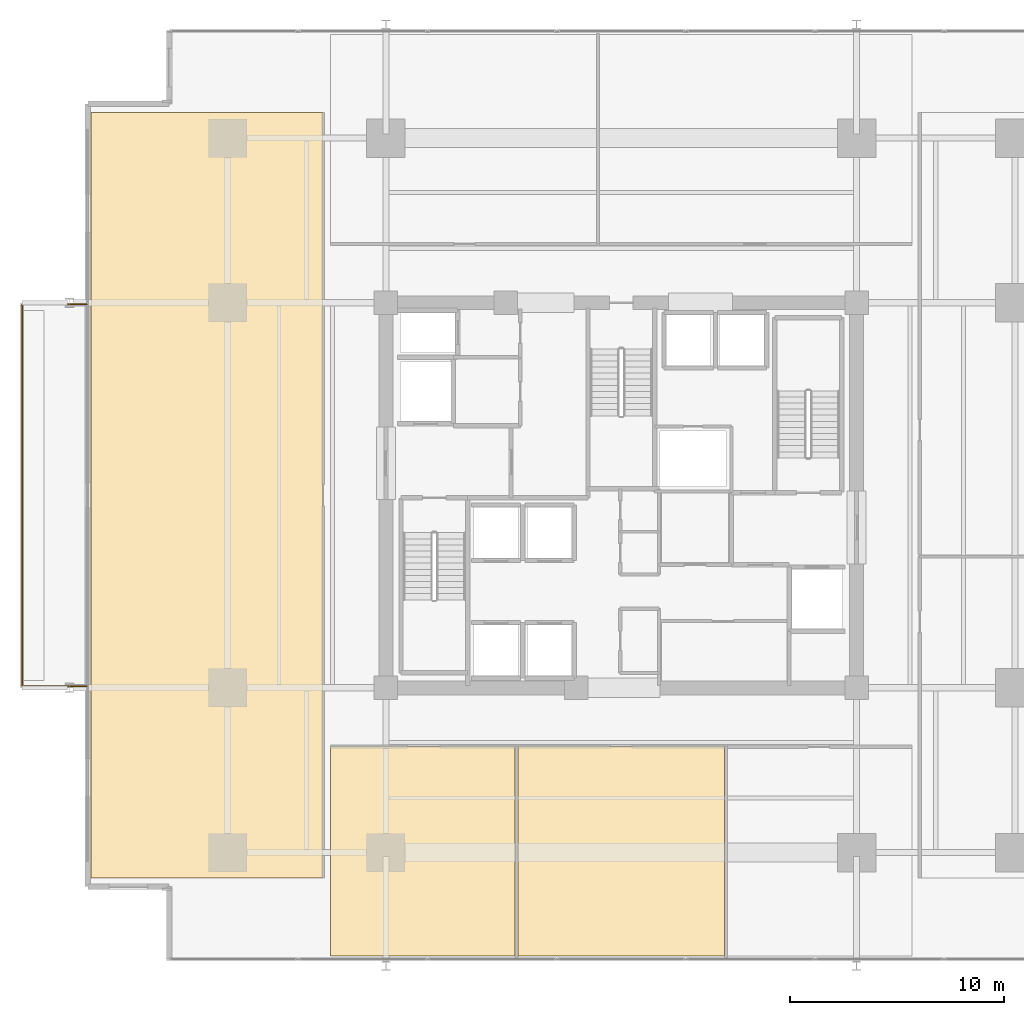
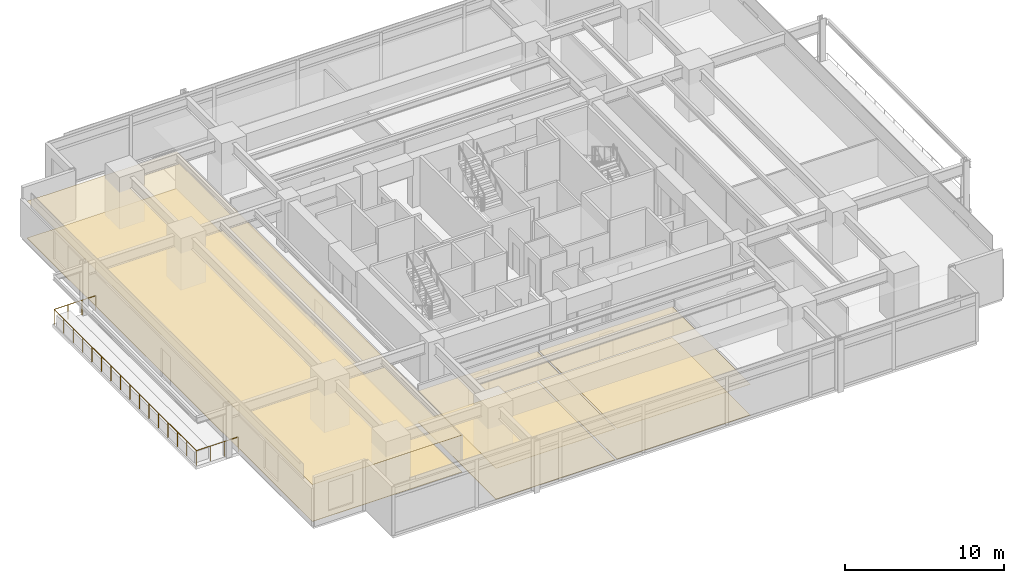
# One storey, part 18 of 21: 6 coverings, 1 railing.
"""IFC4 building model written with IfcOpenShell, lengths in metres."""

from ifc_helpers import new_model, si_unit, direction, frame, origin, origin_2d, place, context, subcontext, project, spatial, polyline, circle, outline, extrude, material, layer, layer_set, type_object, element, save


model = new_model("IFC4")

# Units and contexts
model_context = context("Model", 3, precision=1e-05, world=origin(), true_north=direction((0.0, 1.0)))
body_context = subcontext(model_context, "Body", "Model", "MODEL_VIEW")
ifc_project = project(units=[si_unit("LENGTHUNIT", "METRE"), si_unit("AREAUNIT", "SQUARE_METRE"), si_unit("VOLUMEUNIT", "CUBIC_METRE"), si_unit("PLANEANGLEUNIT", "RADIAN"), si_unit("MASSUNIT", "GRAM", prefix="KILO")], contexts=[model_context])

# Site, building, storey
site_placement = place(None, origin())
site = spatial("IfcSite", under=ifc_project, at=site_placement, CompositionType="ELEMENT")
building_placement = place(site_placement, origin())
building = spatial("IfcBuilding", under=site, at=building_placement, Name="Kovane Verandah Tower", CompositionType="ELEMENT")
storey_placement = place(building_placement, frame((0.0, 0.0, 31.60009765625)))
storey = spatial("IfcBuildingStorey", under=building, at=storey_placement, Name="L06", CompositionType="ELEMENT", Elevation=31.60009765625)

# Coverings
ifc_material_1 = material(Name="Perforated Acoustic Mineral-Fibre Ceiling Tile", Category="gypsum")
ifc_layer_1 = layer(ifc_material_1, 0.02490234375)
ifc_layer_set_1 = layer_set([ifc_layer_1], Name="Perforated Acoustic Mineral-Fibre Ceiling Tile")
covering_type_1 = type_object("IfcCoveringType", Name="CV-CEIL-25", PredefinedType="CEILING", material=ifc_layer_set_1)
covering_1_placement = place(storey_placement, frame((0.0, 0.0, 2.364990234375)))
element("IfcCovering", 1, at=covering_1_placement, inside=storey, type_object=covering_type_1, Name="L06 Client Boardroom S1 Acoustic Ceiling", PredefinedType="CEILING", context=body_context, shape_type="SweptSolid", body=[
    extrude(outline(polyline([(26.39990234375, 5.955078125), (35.033935546875, 5.955078125), (35.033935546875, 15.75), (26.39990234375, 15.75), (26.39990234375, 5.955078125)])), origin(), (0.0, 0.0, 1.0), 0.02490234375),
])
covering_2_placement = place(storey_placement, frame((0.0, 0.0, 2.364990234375)))
element("IfcCovering", 2, at=covering_2_placement, inside=storey, type_object=covering_type_1, Name="L06 Meeting Room S2 Acoustic Ceiling", PredefinedType="CEILING", context=body_context, shape_type="SweptSolid", body=[
    extrude(outline(polyline([(35.174072265625, 5.955078125), (44.825927734375, 5.955078125), (44.825927734375, 15.75), (35.174072265625, 15.75), (35.174072265625, 5.955078125)])), origin(), (0.0, 0.0, 1.0), 0.02490234375),
])
covering_3_placement = place(storey_placement, frame((0.0, 0.0, 2.824951171875)))
element("IfcCovering", 3, at=covering_3_placement, inside=storey, type_object=covering_type_1, Name="L06 Breakout Pantry W1 Acoustic Ceiling", PredefinedType="CEILING", context=body_context, shape_type="SweptSolid", body=[
    extrude(outline(polyline([(15.21435546875, 9.60498046875), (26.050048828125, 9.60498046875), (26.050048828125, 45.39501953125), (15.21435546875, 45.39501953125), (15.21435546875, 9.60498046875)])), origin(), (0.0, 0.0, 1.0), 0.02490234375),
])
ifc_material_2 = material(Name="Polished Terrazzo and Raised-Access Carpet Tile Finish", Category="concrete")
ifc_layer_2 = layer(ifc_material_2, 0.030029296875)
ifc_layer_set_2 = layer_set([ifc_layer_2], Name="Polished Terrazzo and Raised-Access Carpet Tile Finish")
covering_type_2 = type_object("IfcCoveringType", Name="CV-FLOR-30", PredefinedType="FLOORING", material=ifc_layer_set_2)
covering_4_placement = place(storey_placement, origin())
element("IfcCovering", 4, at=covering_4_placement, inside=storey, type_object=covering_type_2, Name="L06 Client Boardroom S1 Floor Finish", PredefinedType="FLOORING", context=body_context, shape_type="SweptSolid", body=[
    extrude(outline(polyline([(26.39990234375, 5.955078125), (35.033935546875, 5.955078125), (35.033935546875, 15.75), (26.39990234375, 15.75), (26.39990234375, 5.955078125)])), origin(), (0.0, 0.0, 1.0), 0.02978515625),
])
covering_5_placement = place(storey_placement, origin())
element("IfcCovering", 5, at=covering_5_placement, inside=storey, type_object=covering_type_2, Name="L06 Meeting Room S2 Floor Finish", PredefinedType="FLOORING", context=body_context, shape_type="SweptSolid", body=[
    extrude(outline(polyline([(35.174072265625, 5.955078125), (44.825927734375, 5.955078125), (44.825927734375, 15.75), (35.174072265625, 15.75), (35.174072265625, 5.955078125)])), origin(), (0.0, 0.0, 1.0), 0.02978515625),
])
covering_6_placement = place(storey_placement, origin())
element("IfcCovering", 6, at=covering_6_placement, inside=storey, type_object=covering_type_2, Name="L06 Breakout Pantry W1 Floor Finish", PredefinedType="FLOORING", context=body_context, shape_type="SweptSolid", body=[
    extrude(outline(polyline([(15.21435546875, 9.60498046875), (26.050048828125, 9.60498046875), (26.050048828125, 45.39501953125), (15.21435546875, 45.39501953125), (15.21435546875, 9.60498046875)])), origin(), (0.0, 0.0, 1.0), 0.02978515625),
])

# Railing
ifc_material_3 = material(Name="Laminated Glass and Pale-Champagne Stainless Balustrade", Category="glass")
railing_type = type_object("IfcRailingType", Name="RL-BAL-1150", PredefinedType="BALUSTRADE", material=ifc_material_3)
railing_placement = place(storey_placement, frame((15.014404296875, 18.580078125, 0.0)))
element("IfcRailing", 7, at=railing_placement, inside=storey, type_object=railing_type, Name="L06 W Verandah Glass Balustrade", PredefinedType="BALUSTRADE", context=body_context, shape_type="SweptSolid", body=[
    extrude(circle(Radius=0.02392578125, at=origin_2d()), frame((0.0, 0.0, 1.1259765625), z_axis=(-1.0, 0.0, 0.0), x_axis=(0.0, -1.0, 0.0)), (0.0, 0.0, 1.0), 3.02001953125),
    extrude(circle(Radius=0.02392578125, at=origin_2d()), frame((-3.02001953125, 0.0, 1.1259765625), z_axis=(0.0, 1.0, 0.0), x_axis=(-1.0, 0.0, 0.0)), (0.0, 0.0, 1.0), 17.83984375),
    extrude(circle(Radius=0.02392578125, at=origin_2d()), frame((-3.02001953125, 17.83984375, 1.1259765625), z_axis=(1.0, 0.0, 0.0), x_axis=(0.0, 1.0, 0.0)), (0.0, 0.0, 1.0), 3.02001953125),
    extrude(circle(Radius=0.02099609375, at=origin_2d()), origin(), (0.0, 0.0, 1.0), 1.101806640625),
    extrude(circle(Radius=0.02099609375, at=origin_2d()), frame((-1.006591796875, 0.0, 0.0)), (0.0, 0.0, 1.0), 1.101806640625),
    extrude(circle(Radius=0.02099609375, at=origin_2d()), frame((-2.013427734375, 0.0, 0.0)), (0.0, 0.0, 1.0), 1.101806640625),
    extrude(circle(Radius=0.02099609375, at=origin_2d()), frame((-3.02001953125, 0.0, 0.0)), (0.0, 0.0, 1.0), 1.101806640625),
    extrude(circle(Radius=0.02099609375, at=origin_2d()), frame((-3.02001953125, 1.189208984375, 0.0)), (0.0, 0.0, 1.0), 1.101806640625),
    extrude(circle(Radius=0.02099609375, at=origin_2d()), frame((-3.02001953125, 2.378662109375, 0.0)), (0.0, 0.0, 1.0), 1.101806640625),
    extrude(circle(Radius=0.02099609375, at=origin_2d()), frame((-3.02001953125, 3.56787109375, 0.0)), (0.0, 0.0, 1.0), 1.101806640625),
    extrude(circle(Radius=0.02099609375, at=origin_2d()), frame((-3.02001953125, 4.75732421875, 0.0)), (0.0, 0.0, 1.0), 1.101806640625),
    extrude(circle(Radius=0.02099609375, at=origin_2d()), frame((-3.02001953125, 5.946533203125, 0.0)), (0.0, 0.0, 1.0), 1.101806640625),
    extrude(circle(Radius=0.02099609375, at=origin_2d()), frame((-3.02001953125, 7.135986328125, 0.0)), (0.0, 0.0, 1.0), 1.101806640625),
    extrude(circle(Radius=0.02099609375, at=origin_2d()), frame((-3.02001953125, 8.3251953125, 0.0)), (0.0, 0.0, 1.0), 1.101806640625),
    extrude(circle(Radius=0.02099609375, at=origin_2d()), frame((-3.02001953125, 9.5146484375, 0.0)), (0.0, 0.0, 1.0), 1.101806640625),
    extrude(circle(Radius=0.02099609375, at=origin_2d()), frame((-3.02001953125, 10.703857421875, 0.0)), (0.0, 0.0, 1.0), 1.101806640625),
    extrude(circle(Radius=0.02099609375, at=origin_2d()), frame((-3.02001953125, 11.893310546875, 0.0)), (0.0, 0.0, 1.0), 1.101806640625),
    extrude(circle(Radius=0.02099609375, at=origin_2d()), frame((-3.02001953125, 13.08251953125, 0.0)), (0.0, 0.0, 1.0), 1.101806640625),
    extrude(circle(Radius=0.02099609375, at=origin_2d()), frame((-3.02001953125, 14.27197265625, 0.0)), (0.0, 0.0, 1.0), 1.101806640625),
    extrude(circle(Radius=0.02099609375, at=origin_2d()), frame((-3.02001953125, 15.461181640625, 0.0)), (0.0, 0.0, 1.0), 1.101806640625),
    extrude(circle(Radius=0.02099609375, at=origin_2d()), frame((-3.02001953125, 16.650634765625, 0.0)), (0.0, 0.0, 1.0), 1.101806640625),
    extrude(circle(Radius=0.02099609375, at=origin_2d()), frame((-3.02001953125, 17.83984375, 0.0)), (0.0, 0.0, 1.0), 1.101806640625),
    extrude(circle(Radius=0.02099609375, at=origin_2d()), frame((-2.013427734375, 17.83984375, 0.0)), (0.0, 0.0, 1.0), 1.101806640625),
    extrude(circle(Radius=0.02099609375, at=origin_2d()), frame((-1.006591796875, 17.83984375, 0.0)), (0.0, 0.0, 1.0), 1.101806640625),
    extrude(circle(Radius=0.02099609375, at=origin_2d()), frame((0.0, 17.83984375, 0.0)), (0.0, 0.0, 1.0), 1.101806640625),
])

save(model, "model.ifc")
